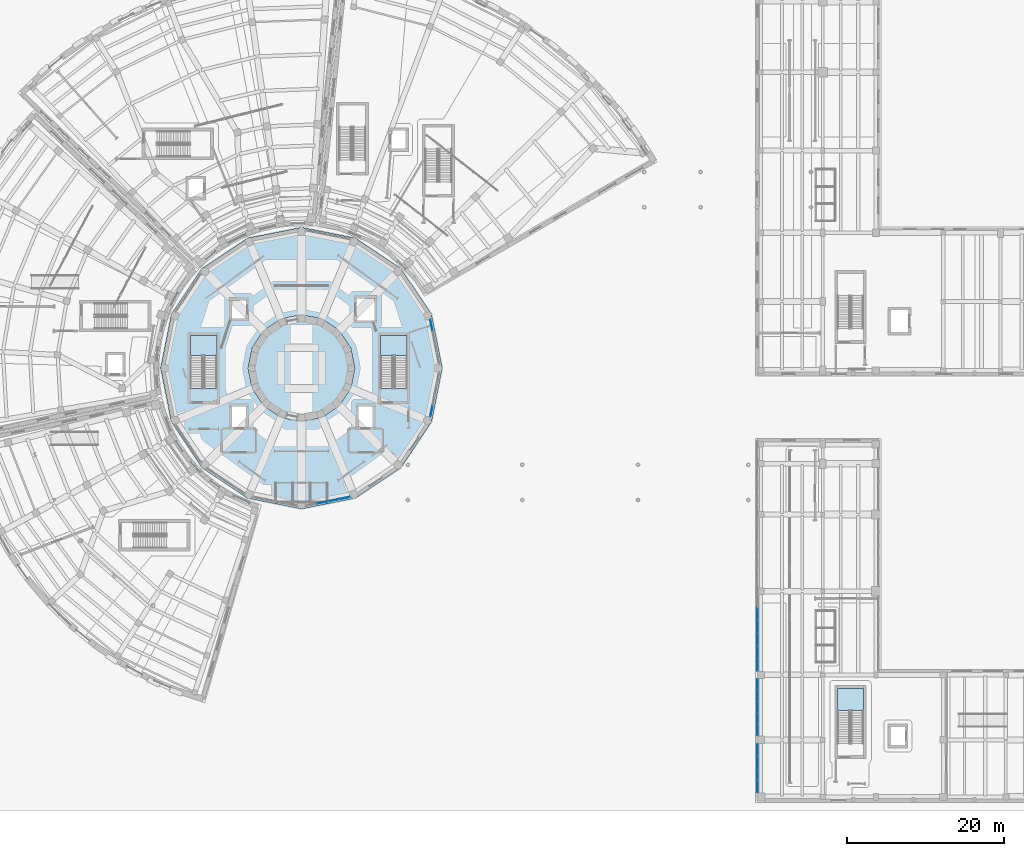
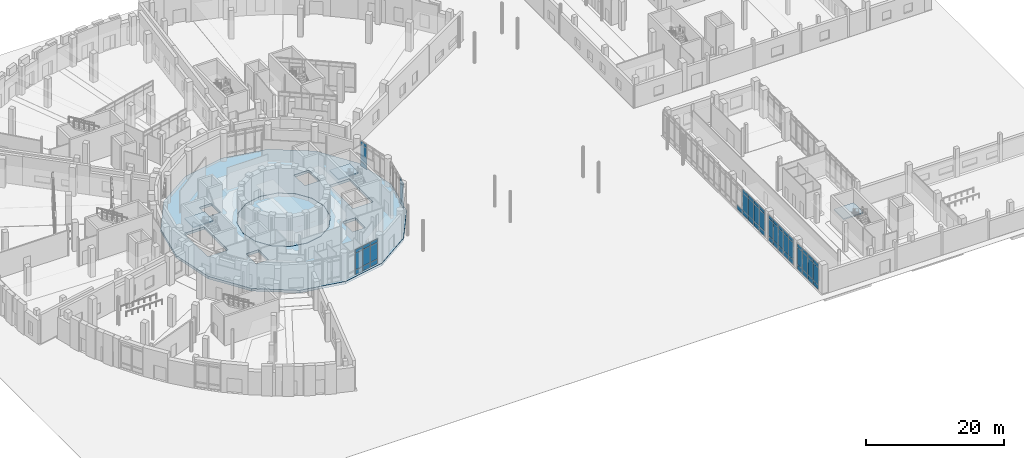
# One storey, part 34 of 74: 55 plates, 5 slabs, 9 elements without a shape of their own.
"""IFC4 building model written with IfcOpenShell, lengths in metres."""

from ifc_helpers import new_model, si_unit, direction, frame, origin, origin_2d, place, context, subcontext, project, spatial, polyline, rectangle, outline, extrude, material, layer, layer_set, type_object, element, aggregate, save


model = new_model("IFC4")

# Units and contexts
model_context = context("Model", 3, precision=1e-05, world=origin(), true_north=direction((0.0, 1.0)))
body_context = subcontext(model_context, "Body", "Model", "MODEL_VIEW")
ifc_project = project(units=[si_unit("LENGTHUNIT", "METRE"), si_unit("AREAUNIT", "SQUARE_METRE"), si_unit("VOLUMEUNIT", "CUBIC_METRE"), si_unit("PLANEANGLEUNIT", "RADIAN"), si_unit("MASSUNIT", "GRAM", prefix="KILO")], contexts=[model_context])

# Site, building, storey
site_placement = place(None, origin())
site = spatial("IfcSite", under=ifc_project, at=site_placement, CompositionType="ELEMENT")
building_placement = place(site_placement, origin())
building = spatial("IfcBuilding", under=site, at=building_placement, Name="Soyqirgoq Riverine Aquarium", CompositionType="ELEMENT")
storey_placement = place(building_placement, origin())
storey = spatial("IfcBuildingStorey", under=building, at=storey_placement, Name="L01", CompositionType="ELEMENT", Elevation=0.0)

# Curtain wall, plates
ifc_material_1 = material(Name="Anodised aluminium thermally broken triple low-E glazing", Category="aluminium")
curtain_wall_type_1 = type_object("IfcCurtainWallType", Name="CW_DrumGallery_Unitised", PredefinedType="NOTDEFINED", material=ifc_material_1)
curtain_wall_1_placement = place(storey_placement, origin())
curtain_wall_1 = element("IfcCurtainWall", 1, at=curtain_wall_1_placement, inside=storey, type_object=curtain_wall_type_1, Name="V1 L01 Curtain Wall 001", PredefinedType="NOTDEFINED")
ifc_material_2 = material(Name="Triple insulated laminated low-E glass", Category="glass")
ifc_layer_1 = layer(ifc_material_2, 0.0458984375)
ifc_layer_set_1 = layer_set([ifc_layer_1], Name="Triple insulated laminated low-E glass")
plate_type_1 = type_object("IfcPlateType", Name="CWGlazedPanel_46", PredefinedType="CURTAIN_PANEL", material=ifc_layer_set_1)
plate_1_placement = place(storey_placement, frame((72.603271484375, 62.513671875, 0.074951171875), z_axis=(0.0, 0.0, 1.0), x_axis=(-0.195074782196, 0.980788371338, 0.0)))
plate_1 = element("IfcPlate", 2, at=plate_1_placement, type_object=plate_type_1, Name="CW-01 panel 4.1", PredefinedType="CURTAIN_PANEL", context=body_context, shape_type="SweptSolid", body=[
    extrude(rectangle(XDim=1.339111328125, YDim=0.0458984375, at=origin_2d()), origin(), (0.0, 0.0, 1.0), 0.78759765625),
])
plate_2_placement = place(storey_placement, frame((72.603271484375, 62.513671875, 0.9375), z_axis=(0.0, 0.0, 1.0), x_axis=(-0.195074782196, 0.980788371338, 0.0)))
plate_2 = element("IfcPlate", 3, at=plate_2_placement, type_object=plate_type_1, Name="CW-01 panel 4.2", PredefinedType="CURTAIN_PANEL", context=body_context, shape_type="SweptSolid", body=[
    extrude(rectangle(XDim=1.339111328125, YDim=0.0458984375, at=origin_2d()), origin(), (0.0, 0.0, 1.0), 2.875),
])
plate_3_placement = place(storey_placement, frame((72.603271484375, 62.513671875, 3.887451171875), z_axis=(0.0, 0.0, 1.0), x_axis=(-0.195074782196, 0.980788371338, 0.0)))
plate_3 = element("IfcPlate", 4, at=plate_3_placement, type_object=plate_type_1, Name="CW-01 panel 4.3", PredefinedType="CURTAIN_PANEL", context=body_context, shape_type="SweptSolid", body=[
    extrude(rectangle(XDim=1.339111328125, YDim=0.0458984375, at=origin_2d()), origin(), (0.0, 0.0, 1.0), 0.58740234375),
])
aggregate(curtain_wall_1, [plate_1, plate_2, plate_3])

curtain_wall_2_placement = place(storey_placement, origin())
curtain_wall_2 = element("IfcCurtainWall", 5, at=curtain_wall_2_placement, inside=storey, type_object=curtain_wall_type_1, Name="V1 L01 Curtain Wall 055", PredefinedType="NOTDEFINED")
plate_4_placement = place(storey_placement, frame((58.671142578125, 39.831298828125, 0.074951171875), z_axis=(0.0, 0.0, 1.0), x_axis=(0.980788371338, 0.195074782196, 0.0)))
plate_4 = element("IfcPlate", 6, at=plate_4_placement, type_object=plate_type_1, Name="CW-01 panel 2.1", PredefinedType="CURTAIN_PANEL", context=body_context, shape_type="SweptSolid", body=[
    extrude(rectangle(XDim=1.379150390625, YDim=0.0458984375, at=origin_2d()), origin(), (0.0, 0.0, 1.0), 0.78759765625),
])
plate_5_placement = place(storey_placement, frame((58.671142578125, 39.831298828125, 0.9375), z_axis=(0.0, 0.0, 1.0), x_axis=(0.980788371338, 0.195074782196, 0.0)))
plate_5 = element("IfcPlate", 7, at=plate_5_placement, type_object=plate_type_1, Name="CW-01 panel 2.2", PredefinedType="CURTAIN_PANEL", context=body_context, shape_type="SweptSolid", body=[
    extrude(rectangle(XDim=1.379150390625, YDim=0.0458984375, at=origin_2d()), origin(), (0.0, 0.0, 1.0), 2.875),
])
plate_6_placement = place(storey_placement, frame((58.671142578125, 39.831298828125, 3.887451171875), z_axis=(0.0, 0.0, 1.0), x_axis=(0.980788371338, 0.195074782196, 0.0)))
plate_6 = element("IfcPlate", 8, at=plate_6_placement, type_object=plate_type_1, Name="CW-01 panel 2.3", PredefinedType="CURTAIN_PANEL", context=body_context, shape_type="SweptSolid", body=[
    extrude(rectangle(XDim=1.379150390625, YDim=0.0458984375, at=origin_2d()), origin(), (0.0, 0.0, 1.0), 0.58740234375),
])
plate_7_placement = place(storey_placement, frame((60.102294921875, 40.115966796875, 0.074951171875), z_axis=(0.0, 0.0, 1.0), x_axis=(0.980788371338, 0.195074782196, 0.0)))
plate_7 = element("IfcPlate", 9, at=plate_7_placement, type_object=plate_type_1, Name="CW-01 panel 3.1", PredefinedType="CURTAIN_PANEL", context=body_context, shape_type="SweptSolid", body=[
    extrude(rectangle(XDim=1.379150390625, YDim=0.0458984375, at=origin_2d()), origin(), (0.0, 0.0, 1.0), 0.78759765625),
])
plate_8_placement = place(storey_placement, frame((60.102294921875, 40.115966796875, 0.9375), z_axis=(0.0, 0.0, 1.0), x_axis=(0.980788371338, 0.195074782196, 0.0)))
plate_8 = element("IfcPlate", 10, at=plate_8_placement, type_object=plate_type_1, Name="CW-01 panel 3.2", PredefinedType="CURTAIN_PANEL", context=body_context, shape_type="SweptSolid", body=[
    extrude(rectangle(XDim=1.379150390625, YDim=0.0458984375, at=origin_2d()), origin(), (0.0, 0.0, 1.0), 2.875),
])
plate_9_placement = place(storey_placement, frame((60.102294921875, 40.115966796875, 3.887451171875), z_axis=(0.0, 0.0, 1.0), x_axis=(0.980788371338, 0.195074782196, 0.0)))
plate_9 = element("IfcPlate", 11, at=plate_9_placement, type_object=plate_type_1, Name="CW-01 panel 3.3", PredefinedType="CURTAIN_PANEL", context=body_context, shape_type="SweptSolid", body=[
    extrude(rectangle(XDim=1.379150390625, YDim=0.0458984375, at=origin_2d()), origin(), (0.0, 0.0, 1.0), 0.58740234375),
])
plate_10_placement = place(storey_placement, frame((61.513671875, 40.396728515625, 0.074951171875), z_axis=(0.0, 0.0, 1.0), x_axis=(0.980788371338, 0.195074782196, 0.0)))
plate_10 = element("IfcPlate", 12, at=plate_10_placement, type_object=plate_type_1, Name="CW-01 panel 4.1", PredefinedType="CURTAIN_PANEL", context=body_context, shape_type="SweptSolid", body=[
    extrude(rectangle(XDim=1.339111328125, YDim=0.0458984375, at=origin_2d()), origin(), (0.0, 0.0, 1.0), 0.78759765625),
])
plate_11_placement = place(storey_placement, frame((61.513671875, 40.396728515625, 0.9375), z_axis=(0.0, 0.0, 1.0), x_axis=(0.980788371338, 0.195074782196, 0.0)))
plate_11 = element("IfcPlate", 13, at=plate_11_placement, type_object=plate_type_1, Name="CW-01 panel 4.2", PredefinedType="CURTAIN_PANEL", context=body_context, shape_type="SweptSolid", body=[
    extrude(rectangle(XDim=1.339111328125, YDim=0.0458984375, at=origin_2d()), origin(), (0.0, 0.0, 1.0), 2.875),
])
plate_12_placement = place(storey_placement, frame((61.513671875, 40.396728515625, 3.887451171875), z_axis=(0.0, 0.0, 1.0), x_axis=(0.980788371338, 0.195074782196, 0.0)))
plate_12 = element("IfcPlate", 14, at=plate_12_placement, type_object=plate_type_1, Name="CW-01 panel 4.3", PredefinedType="CURTAIN_PANEL", context=body_context, shape_type="SweptSolid", body=[
    extrude(rectangle(XDim=1.339111328125, YDim=0.0458984375, at=origin_2d()), origin(), (0.0, 0.0, 1.0), 0.58740234375),
])
aggregate(curtain_wall_2, [plate_4, plate_5, plate_6, plate_7, plate_8, plate_9, plate_10, plate_11, plate_12])

ifc_material_3 = material(Name="Structural silicone glazed entrance curtain wall", Category="aluminium")
curtain_wall_type_2 = type_object("IfcCurtainWallType", Name="CW_Portal_Entrance", PredefinedType="NOTDEFINED", material=ifc_material_3)
curtain_wall_3_placement = place(storey_placement, origin())
curtain_wall_3 = element("IfcCurtainWall", 15, at=curtain_wall_3_placement, inside=storey, type_object=curtain_wall_type_2, Name="V6 L01 Curtain Wall 104", PredefinedType="NOTDEFINED")
plate_13_placement = place(storey_placement, frame((114.25, 3.525634765625, 0.074951171875), z_axis=(0.0, 0.0, 1.0), x_axis=(0.0, 1.0, 0.0)))
plate_13 = element("IfcPlate", 16, at=plate_13_placement, type_object=plate_type_1, Name="CW-04 panel 1.1", PredefinedType="CURTAIN_PANEL", context=body_context, shape_type="SweptSolid", body=[
    extrude(rectangle(XDim=1.451171875, YDim=0.0458984375, at=origin_2d()), origin(), (0.0, 0.0, 1.0), 0.78759765625),
])
plate_14_placement = place(storey_placement, frame((114.25, 3.525634765625, 0.9375), z_axis=(0.0, 0.0, 1.0), x_axis=(0.0, 1.0, 0.0)))
plate_14 = element("IfcPlate", 17, at=plate_14_placement, type_object=plate_type_1, Name="CW-04 panel 1.2", PredefinedType="CURTAIN_PANEL", context=body_context, shape_type="SweptSolid", body=[
    extrude(rectangle(XDim=1.451171875, YDim=0.0458984375, at=origin_2d()), origin(), (0.0, 0.0, 1.0), 3.02490234375),
])
plate_15_placement = place(storey_placement, frame((114.25, 3.525634765625, 4.03759765625), z_axis=(0.0, 0.0, 1.0), x_axis=(0.0, 1.0, 0.0)))
plate_15 = element("IfcPlate", 18, at=plate_15_placement, type_object=plate_type_1, Name="CW-04 panel 1.3", PredefinedType="CURTAIN_PANEL", context=body_context, shape_type="SweptSolid", body=[
    extrude(rectangle(XDim=1.451171875, YDim=0.0458984375, at=origin_2d()), origin(), (0.0, 0.0, 1.0), 0.58740234375),
])
plate_16_placement = place(storey_placement, frame((114.25, 5.076904296875, 0.074951171875), z_axis=(0.0, 0.0, 1.0), x_axis=(0.0, 1.0, 0.0)))
plate_16 = element("IfcPlate", 19, at=plate_16_placement, type_object=plate_type_1, Name="CW-04 panel 2.1", PredefinedType="CURTAIN_PANEL", context=body_context, shape_type="SweptSolid", body=[
    extrude(rectangle(XDim=1.4912109375, YDim=0.0458984375, at=origin_2d()), origin(), (0.0, 0.0, 1.0), 0.78759765625),
])
plate_17_placement = place(storey_placement, frame((114.25, 5.076904296875, 0.9375), z_axis=(0.0, 0.0, 1.0), x_axis=(0.0, 1.0, 0.0)))
plate_17 = element("IfcPlate", 20, at=plate_17_placement, type_object=plate_type_1, Name="CW-04 panel 2.2", PredefinedType="CURTAIN_PANEL", context=body_context, shape_type="SweptSolid", body=[
    extrude(rectangle(XDim=1.4912109375, YDim=0.0458984375, at=origin_2d()), origin(), (0.0, 0.0, 1.0), 3.02490234375),
])
plate_18_placement = place(storey_placement, frame((114.25, 5.076904296875, 4.03759765625), z_axis=(0.0, 0.0, 1.0), x_axis=(0.0, 1.0, 0.0)))
plate_18 = element("IfcPlate", 21, at=plate_18_placement, type_object=plate_type_1, Name="CW-04 panel 2.3", PredefinedType="CURTAIN_PANEL", context=body_context, shape_type="SweptSolid", body=[
    extrude(rectangle(XDim=1.4912109375, YDim=0.0458984375, at=origin_2d()), origin(), (0.0, 0.0, 1.0), 0.58740234375),
])
plate_19_placement = place(storey_placement, frame((114.25, 6.648193359375, 0.074951171875), z_axis=(0.0, 0.0, 1.0), x_axis=(0.0, 1.0, 0.0)))
plate_19 = element("IfcPlate", 22, at=plate_19_placement, type_object=plate_type_1, Name="CW-04 panel 3.1", PredefinedType="CURTAIN_PANEL", context=body_context, shape_type="SweptSolid", body=[
    extrude(rectangle(XDim=1.4912109375, YDim=0.0458984375, at=origin_2d()), origin(), (0.0, 0.0, 1.0), 0.78759765625),
])
plate_20_placement = place(storey_placement, frame((114.25, 6.648193359375, 0.9375), z_axis=(0.0, 0.0, 1.0), x_axis=(0.0, 1.0, 0.0)))
plate_20 = element("IfcPlate", 23, at=plate_20_placement, type_object=plate_type_1, Name="CW-04 panel 3.2", PredefinedType="CURTAIN_PANEL", context=body_context, shape_type="SweptSolid", body=[
    extrude(rectangle(XDim=1.4912109375, YDim=0.0458984375, at=origin_2d()), origin(), (0.0, 0.0, 1.0), 3.02490234375),
])
plate_21_placement = place(storey_placement, frame((114.25, 6.648193359375, 4.03759765625), z_axis=(0.0, 0.0, 1.0), x_axis=(0.0, 1.0, 0.0)))
plate_21 = element("IfcPlate", 24, at=plate_21_placement, type_object=plate_type_1, Name="CW-04 panel 3.3", PredefinedType="CURTAIN_PANEL", context=body_context, shape_type="SweptSolid", body=[
    extrude(rectangle(XDim=1.4912109375, YDim=0.0458984375, at=origin_2d()), origin(), (0.0, 0.0, 1.0), 0.58740234375),
])
plate_22_placement = place(storey_placement, frame((114.25, 8.199462890625, 0.074951171875), z_axis=(0.0, 0.0, 1.0), x_axis=(0.0, 1.0, 0.0)))
plate_22 = element("IfcPlate", 25, at=plate_22_placement, type_object=plate_type_1, Name="CW-04 panel 4.1", PredefinedType="CURTAIN_PANEL", context=body_context, shape_type="SweptSolid", body=[
    extrude(rectangle(XDim=1.451171875, YDim=0.0458984375, at=origin_2d()), origin(), (0.0, 0.0, 1.0), 0.78759765625),
])
plate_23_placement = place(storey_placement, frame((114.25, 8.199462890625, 0.9375), z_axis=(0.0, 0.0, 1.0), x_axis=(0.0, 1.0, 0.0)))
plate_23 = element("IfcPlate", 26, at=plate_23_placement, type_object=plate_type_1, Name="CW-04 panel 4.2", PredefinedType="CURTAIN_PANEL", context=body_context, shape_type="SweptSolid", body=[
    extrude(rectangle(XDim=1.451171875, YDim=0.0458984375, at=origin_2d()), origin(), (0.0, 0.0, 1.0), 3.02490234375),
])
plate_24_placement = place(storey_placement, frame((114.25, 8.199462890625, 4.03759765625), z_axis=(0.0, 0.0, 1.0), x_axis=(0.0, 1.0, 0.0)))
plate_24 = element("IfcPlate", 27, at=plate_24_placement, type_object=plate_type_1, Name="CW-04 panel 4.3", PredefinedType="CURTAIN_PANEL", context=body_context, shape_type="SweptSolid", body=[
    extrude(rectangle(XDim=1.451171875, YDim=0.0458984375, at=origin_2d()), origin(), (0.0, 0.0, 1.0), 0.58740234375),
])
aggregate(curtain_wall_3, [plate_13, plate_14, plate_15, plate_16, plate_17, plate_18, plate_19, plate_20, plate_21, plate_22, plate_23, plate_24])

curtain_wall_4_placement = place(storey_placement, origin())
curtain_wall_4 = element("IfcCurtainWall", 28, at=curtain_wall_4_placement, inside=storey, type_object=curtain_wall_type_2, Name="V6 L01 Curtain Wall 105", PredefinedType="NOTDEFINED")
plate_25_placement = place(storey_placement, frame((114.25, 10.74853515625, 0.074951171875), z_axis=(0.0, 0.0, 1.0), x_axis=(0.0, 1.0, 0.0)))
plate_25 = element("IfcPlate", 29, at=plate_25_placement, type_object=plate_type_1, Name="CW-04 panel 1.1", PredefinedType="CURTAIN_PANEL", context=body_context, shape_type="SweptSolid", body=[
    extrude(rectangle(XDim=1.346923828125, YDim=0.0458984375, at=origin_2d()), origin(), (0.0, 0.0, 1.0), 0.78759765625),
])
plate_26_placement = place(storey_placement, frame((114.25, 10.74853515625, 0.9375), z_axis=(0.0, 0.0, 1.0), x_axis=(0.0, 1.0, 0.0)))
plate_26 = element("IfcPlate", 30, at=plate_26_placement, type_object=plate_type_1, Name="CW-04 panel 1.2", PredefinedType="CURTAIN_PANEL", context=body_context, shape_type="SweptSolid", body=[
    extrude(rectangle(XDim=1.346923828125, YDim=0.0458984375, at=origin_2d()), origin(), (0.0, 0.0, 1.0), 3.02490234375),
])
plate_27_placement = place(storey_placement, frame((114.25, 10.74853515625, 4.03759765625), z_axis=(0.0, 0.0, 1.0), x_axis=(0.0, 1.0, 0.0)))
plate_27 = element("IfcPlate", 31, at=plate_27_placement, type_object=plate_type_1, Name="CW-04 panel 1.3", PredefinedType="CURTAIN_PANEL", context=body_context, shape_type="SweptSolid", body=[
    extrude(rectangle(XDim=1.346923828125, YDim=0.0458984375, at=origin_2d()), origin(), (0.0, 0.0, 1.0), 0.58740234375),
])
plate_28_placement = place(storey_placement, frame((114.25, 12.195556640625, 0.074951171875), z_axis=(0.0, 0.0, 1.0), x_axis=(0.0, 1.0, 0.0)))
plate_28 = element("IfcPlate", 32, at=plate_28_placement, type_object=plate_type_1, Name="CW-04 panel 2.1", PredefinedType="CURTAIN_PANEL", context=body_context, shape_type="SweptSolid", body=[
    extrude(rectangle(XDim=1.386962890625, YDim=0.0458984375, at=origin_2d()), origin(), (0.0, 0.0, 1.0), 0.78759765625),
])
plate_29_placement = place(storey_placement, frame((114.25, 12.195556640625, 0.9375), z_axis=(0.0, 0.0, 1.0), x_axis=(0.0, 1.0, 0.0)))
plate_29 = element("IfcPlate", 33, at=plate_29_placement, type_object=plate_type_1, Name="CW-04 panel 2.2", PredefinedType="CURTAIN_PANEL", context=body_context, shape_type="SweptSolid", body=[
    extrude(rectangle(XDim=1.386962890625, YDim=0.0458984375, at=origin_2d()), origin(), (0.0, 0.0, 1.0), 3.02490234375),
])
plate_30_placement = place(storey_placement, frame((114.25, 12.195556640625, 4.03759765625), z_axis=(0.0, 0.0, 1.0), x_axis=(0.0, 1.0, 0.0)))
plate_30 = element("IfcPlate", 34, at=plate_30_placement, type_object=plate_type_1, Name="CW-04 panel 2.3", PredefinedType="CURTAIN_PANEL", context=body_context, shape_type="SweptSolid", body=[
    extrude(rectangle(XDim=1.386962890625, YDim=0.0458984375, at=origin_2d()), origin(), (0.0, 0.0, 1.0), 0.58740234375),
])
plate_31_placement = place(storey_placement, frame((114.25, 13.66259765625, 0.074951171875), z_axis=(0.0, 0.0, 1.0), x_axis=(0.0, 1.0, 0.0)))
plate_31 = element("IfcPlate", 35, at=plate_31_placement, type_object=plate_type_1, Name="CW-04 panel 3.1", PredefinedType="CURTAIN_PANEL", context=body_context, shape_type="SweptSolid", body=[
    extrude(rectangle(XDim=1.386962890625, YDim=0.0458984375, at=origin_2d()), origin(), (0.0, 0.0, 1.0), 0.78759765625),
])
plate_32_placement = place(storey_placement, frame((114.25, 13.66259765625, 0.9375), z_axis=(0.0, 0.0, 1.0), x_axis=(0.0, 1.0, 0.0)))
plate_32 = element("IfcPlate", 36, at=plate_32_placement, type_object=plate_type_1, Name="CW-04 panel 3.2", PredefinedType="CURTAIN_PANEL", context=body_context, shape_type="SweptSolid", body=[
    extrude(rectangle(XDim=1.386962890625, YDim=0.0458984375, at=origin_2d()), origin(), (0.0, 0.0, 1.0), 3.02490234375),
])
plate_33_placement = place(storey_placement, frame((114.25, 13.66259765625, 4.03759765625), z_axis=(0.0, 0.0, 1.0), x_axis=(0.0, 1.0, 0.0)))
plate_33 = element("IfcPlate", 37, at=plate_33_placement, type_object=plate_type_1, Name="CW-04 panel 3.3", PredefinedType="CURTAIN_PANEL", context=body_context, shape_type="SweptSolid", body=[
    extrude(rectangle(XDim=1.386962890625, YDim=0.0458984375, at=origin_2d()), origin(), (0.0, 0.0, 1.0), 0.58740234375),
])
plate_34_placement = place(storey_placement, frame((114.25, 15.12939453125, 0.074951171875), z_axis=(0.0, 0.0, 1.0), x_axis=(0.0, 1.0, 0.0)))
plate_34 = element("IfcPlate", 38, at=plate_34_placement, type_object=plate_type_1, Name="CW-04 panel 4.1", PredefinedType="CURTAIN_PANEL", context=body_context, shape_type="SweptSolid", body=[
    extrude(rectangle(XDim=1.386962890625, YDim=0.0458984375, at=origin_2d()), origin(), (0.0, 0.0, 1.0), 0.78759765625),
])
plate_35_placement = place(storey_placement, frame((114.25, 15.12939453125, 0.9375), z_axis=(0.0, 0.0, 1.0), x_axis=(0.0, 1.0, 0.0)))
plate_35 = element("IfcPlate", 39, at=plate_35_placement, type_object=plate_type_1, Name="CW-04 panel 4.2", PredefinedType="CURTAIN_PANEL", context=body_context, shape_type="SweptSolid", body=[
    extrude(rectangle(XDim=1.386962890625, YDim=0.0458984375, at=origin_2d()), origin(), (0.0, 0.0, 1.0), 3.02490234375),
])
plate_36_placement = place(storey_placement, frame((114.25, 15.12939453125, 4.03759765625), z_axis=(0.0, 0.0, 1.0), x_axis=(0.0, 1.0, 0.0)))
plate_36 = element("IfcPlate", 40, at=plate_36_placement, type_object=plate_type_1, Name="CW-04 panel 4.3", PredefinedType="CURTAIN_PANEL", context=body_context, shape_type="SweptSolid", body=[
    extrude(rectangle(XDim=1.386962890625, YDim=0.0458984375, at=origin_2d()), origin(), (0.0, 0.0, 1.0), 0.58740234375),
])
plate_37_placement = place(storey_placement, frame((114.25, 16.576416015625, 0.074951171875), z_axis=(0.0, 0.0, 1.0), x_axis=(0.0, 1.0, 0.0)))
plate_37 = element("IfcPlate", 41, at=plate_37_placement, type_object=plate_type_1, Name="CW-04 panel 5.1", PredefinedType="CURTAIN_PANEL", context=body_context, shape_type="SweptSolid", body=[
    extrude(rectangle(XDim=1.346923828125, YDim=0.0458984375, at=origin_2d()), origin(), (0.0, 0.0, 1.0), 0.78759765625),
])
plate_38_placement = place(storey_placement, frame((114.25, 16.576416015625, 0.9375), z_axis=(0.0, 0.0, 1.0), x_axis=(0.0, 1.0, 0.0)))
plate_38 = element("IfcPlate", 42, at=plate_38_placement, type_object=plate_type_1, Name="CW-04 panel 5.2", PredefinedType="CURTAIN_PANEL", context=body_context, shape_type="SweptSolid", body=[
    extrude(rectangle(XDim=1.346923828125, YDim=0.0458984375, at=origin_2d()), origin(), (0.0, 0.0, 1.0), 3.02490234375),
])
plate_39_placement = place(storey_placement, frame((114.25, 16.576416015625, 4.03759765625), z_axis=(0.0, 0.0, 1.0), x_axis=(0.0, 1.0, 0.0)))
plate_39 = element("IfcPlate", 43, at=plate_39_placement, type_object=plate_type_1, Name="CW-04 panel 5.3", PredefinedType="CURTAIN_PANEL", context=body_context, shape_type="SweptSolid", body=[
    extrude(rectangle(XDim=1.346923828125, YDim=0.0458984375, at=origin_2d()), origin(), (0.0, 0.0, 1.0), 0.58740234375),
])
aggregate(curtain_wall_4, [plate_25, plate_26, plate_27, plate_28, plate_29, plate_30, plate_31, plate_32, plate_33, plate_34, plate_35, plate_36, plate_37, plate_38, plate_39])

curtain_wall_5_placement = place(storey_placement, origin())
curtain_wall_5 = element("IfcCurtainWall", 44, at=curtain_wall_5_placement, inside=storey, type_object=curtain_wall_type_2, Name="V6 L01 Curtain Wall 106", PredefinedType="NOTDEFINED")
plate_40_placement = place(storey_placement, frame((114.25, 19.107666015625, 0.074951171875), z_axis=(0.0, 0.0, 1.0), x_axis=(0.0, 1.0, 0.0)))
plate_40 = element("IfcPlate", 45, at=plate_40_placement, type_object=plate_type_1, Name="CW-04 panel 1.1", PredefinedType="CURTAIN_PANEL", context=body_context, shape_type="SweptSolid", body=[
    extrude(rectangle(XDim=1.515625, YDim=0.0458984375, at=origin_2d()), origin(), (0.0, 0.0, 1.0), 0.78759765625),
])
plate_41_placement = place(storey_placement, frame((114.25, 19.107666015625, 0.9375), z_axis=(0.0, 0.0, 1.0), x_axis=(0.0, 1.0, 0.0)))
plate_41 = element("IfcPlate", 46, at=plate_41_placement, type_object=plate_type_1, Name="CW-04 panel 1.2", PredefinedType="CURTAIN_PANEL", context=body_context, shape_type="SweptSolid", body=[
    extrude(rectangle(XDim=1.515625, YDim=0.0458984375, at=origin_2d()), origin(), (0.0, 0.0, 1.0), 3.02490234375),
])
plate_42_placement = place(storey_placement, frame((114.25, 19.107666015625, 4.03759765625), z_axis=(0.0, 0.0, 1.0), x_axis=(0.0, 1.0, 0.0)))
plate_42 = element("IfcPlate", 47, at=plate_42_placement, type_object=plate_type_1, Name="CW-04 panel 1.3", PredefinedType="CURTAIN_PANEL", context=body_context, shape_type="SweptSolid", body=[
    extrude(rectangle(XDim=1.515625, YDim=0.0458984375, at=origin_2d()), origin(), (0.0, 0.0, 1.0), 0.58740234375),
])
plate_43_placement = place(storey_placement, frame((114.25, 20.723388671875, 0.074951171875), z_axis=(0.0, 0.0, 1.0), x_axis=(0.0, 1.0, 0.0)))
plate_43 = element("IfcPlate", 48, at=plate_43_placement, type_object=plate_type_1, Name="CW-04 panel 2.1", PredefinedType="CURTAIN_PANEL", context=body_context, shape_type="SweptSolid", body=[
    extrude(rectangle(XDim=1.5556640625, YDim=0.0458984375, at=origin_2d()), origin(), (0.0, 0.0, 1.0), 0.78759765625),
])
plate_44_placement = place(storey_placement, frame((114.25, 20.723388671875, 0.9375), z_axis=(0.0, 0.0, 1.0), x_axis=(0.0, 1.0, 0.0)))
plate_44 = element("IfcPlate", 49, at=plate_44_placement, type_object=plate_type_1, Name="CW-04 panel 2.2", PredefinedType="CURTAIN_PANEL", context=body_context, shape_type="SweptSolid", body=[
    extrude(rectangle(XDim=1.5556640625, YDim=0.0458984375, at=origin_2d()), origin(), (0.0, 0.0, 1.0), 3.02490234375),
])
plate_45_placement = place(storey_placement, frame((114.25, 20.723388671875, 4.03759765625), z_axis=(0.0, 0.0, 1.0), x_axis=(0.0, 1.0, 0.0)))
plate_45 = element("IfcPlate", 50, at=plate_45_placement, type_object=plate_type_1, Name="CW-04 panel 2.3", PredefinedType="CURTAIN_PANEL", context=body_context, shape_type="SweptSolid", body=[
    extrude(rectangle(XDim=1.5556640625, YDim=0.0458984375, at=origin_2d()), origin(), (0.0, 0.0, 1.0), 0.58740234375),
])
plate_46_placement = place(storey_placement, frame((114.25, 22.35888671875, 0.074951171875), z_axis=(0.0, 0.0, 1.0), x_axis=(0.0, 1.0, 0.0)))
plate_46 = element("IfcPlate", 51, at=plate_46_placement, type_object=plate_type_1, Name="CW-04 panel 3.1", PredefinedType="CURTAIN_PANEL", context=body_context, shape_type="SweptSolid", body=[
    extrude(rectangle(XDim=1.5556640625, YDim=0.0458984375, at=origin_2d()), origin(), (0.0, 0.0, 1.0), 0.78759765625),
])
plate_47_placement = place(storey_placement, frame((114.25, 22.35888671875, 0.9375), z_axis=(0.0, 0.0, 1.0), x_axis=(0.0, 1.0, 0.0)))
plate_47 = element("IfcPlate", 52, at=plate_47_placement, type_object=plate_type_1, Name="CW-04 panel 3.2", PredefinedType="CURTAIN_PANEL", context=body_context, shape_type="SweptSolid", body=[
    extrude(rectangle(XDim=1.5556640625, YDim=0.0458984375, at=origin_2d()), origin(), (0.0, 0.0, 1.0), 3.02490234375),
])
plate_48_placement = place(storey_placement, frame((114.25, 22.35888671875, 4.03759765625), z_axis=(0.0, 0.0, 1.0), x_axis=(0.0, 1.0, 0.0)))
plate_48 = element("IfcPlate", 53, at=plate_48_placement, type_object=plate_type_1, Name="CW-04 panel 3.3", PredefinedType="CURTAIN_PANEL", context=body_context, shape_type="SweptSolid", body=[
    extrude(rectangle(XDim=1.5556640625, YDim=0.0458984375, at=origin_2d()), origin(), (0.0, 0.0, 1.0), 0.58740234375),
])
plate_49_placement = place(storey_placement, frame((114.25, 23.994384765625, 0.074951171875), z_axis=(0.0, 0.0, 1.0), x_axis=(0.0, 1.0, 0.0)))
plate_49 = element("IfcPlate", 54, at=plate_49_placement, type_object=plate_type_1, Name="CW-04 panel 4.1", PredefinedType="CURTAIN_PANEL", context=body_context, shape_type="SweptSolid", body=[
    extrude(rectangle(XDim=1.5556640625, YDim=0.0458984375, at=origin_2d()), origin(), (0.0, 0.0, 1.0), 0.78759765625),
])
plate_50_placement = place(storey_placement, frame((114.25, 23.994384765625, 0.9375), z_axis=(0.0, 0.0, 1.0), x_axis=(0.0, 1.0, 0.0)))
plate_50 = element("IfcPlate", 55, at=plate_50_placement, type_object=plate_type_1, Name="CW-04 panel 4.2", PredefinedType="CURTAIN_PANEL", context=body_context, shape_type="SweptSolid", body=[
    extrude(rectangle(XDim=1.5556640625, YDim=0.0458984375, at=origin_2d()), origin(), (0.0, 0.0, 1.0), 3.02490234375),
])
plate_51_placement = place(storey_placement, frame((114.25, 23.994384765625, 4.03759765625), z_axis=(0.0, 0.0, 1.0), x_axis=(0.0, 1.0, 0.0)))
plate_51 = element("IfcPlate", 56, at=plate_51_placement, type_object=plate_type_1, Name="CW-04 panel 4.3", PredefinedType="CURTAIN_PANEL", context=body_context, shape_type="SweptSolid", body=[
    extrude(rectangle(XDim=1.5556640625, YDim=0.0458984375, at=origin_2d()), origin(), (0.0, 0.0, 1.0), 0.58740234375),
])
plate_52_placement = place(storey_placement, frame((114.25, 25.6298828125, 0.074951171875), z_axis=(0.0, 0.0, 1.0), x_axis=(0.0, 1.0, 0.0)))
plate_52 = element("IfcPlate", 57, at=plate_52_placement, type_object=plate_type_1, Name="CW-04 panel 5.1", PredefinedType="CURTAIN_PANEL", context=body_context, shape_type="SweptSolid", body=[
    extrude(rectangle(XDim=1.5556640625, YDim=0.0458984375, at=origin_2d()), origin(), (0.0, 0.0, 1.0), 0.78759765625),
])
aggregate(curtain_wall_5, [plate_40, plate_41, plate_42, plate_43, plate_44, plate_45, plate_46, plate_47, plate_48, plate_49, plate_50, plate_51, plate_52])

curtain_wall_6_placement = place(storey_placement, origin())
curtain_wall_6 = element("IfcCurtainWall", 58, at=curtain_wall_6_placement, inside=storey, type_object=curtain_wall_type_1, Name="V1 L01 Curtain Wall 072", PredefinedType="NOTDEFINED")
ifc_material_4 = material(Name="Insulated shadow-box aluminium spandrel panel", Category="aluminium")
ifc_layer_2 = layer(ifc_material_4, 0.06005859375)
ifc_layer_set_2 = layer_set([ifc_layer_2], Name="Insulated shadow-box aluminium spandrel panel")
plate_type_2 = type_object("IfcPlateType", Name="CWSpandrelPanel_60", PredefinedType="CURTAIN_PANEL", material=ifc_layer_set_2)
plate_53_placement = place(storey_placement, frame((72.603271484375, 51.486328125, 0.074951171875), z_axis=(0.0, 0.0, 1.0), x_axis=(0.195074782196, 0.980788371338, 0.0)))
plate_53 = element("IfcPlate", 59, at=plate_53_placement, type_object=plate_type_2, Name="CW-01 panel 1.1", PredefinedType="CURTAIN_PANEL", context=body_context, shape_type="SweptSolid", body=[
    extrude(rectangle(XDim=1.339111328125, YDim=0.06005859375, at=origin_2d()), origin(), (0.0, 0.0, 1.0), 0.78759765625),
])
plate_54_placement = place(storey_placement, frame((72.603271484375, 51.486328125, 0.9375), z_axis=(0.0, 0.0, 1.0), x_axis=(0.195074782196, 0.980788371338, 0.0)))
plate_54 = element("IfcPlate", 60, at=plate_54_placement, type_object=plate_type_2, Name="CW-01 panel 1.2", PredefinedType="CURTAIN_PANEL", context=body_context, shape_type="SweptSolid", body=[
    extrude(rectangle(XDim=1.339111328125, YDim=0.06005859375, at=origin_2d()), origin(), (0.0, 0.0, 1.0), 2.875),
])
plate_55_placement = place(storey_placement, frame((72.603271484375, 51.486328125, 3.887451171875), z_axis=(0.0, 0.0, 1.0), x_axis=(0.195074782196, 0.980788371338, 0.0)))
plate_55 = element("IfcPlate", 61, at=plate_55_placement, type_object=plate_type_2, Name="CW-01 panel 1.3", PredefinedType="CURTAIN_PANEL", context=body_context, shape_type="SweptSolid", body=[
    extrude(rectangle(XDim=1.339111328125, YDim=0.06005859375, at=origin_2d()), origin(), (0.0, 0.0, 1.0), 0.58740234375),
])
aggregate(curtain_wall_6, [plate_53, plate_54, plate_55])

# Stair, slab
ifc_material_5 = material(Name="Concrete C35/45", Category="concrete")
stair_type = type_object("IfcStairType", Name="CoreDoglegStair_RC", PredefinedType="HALF_TURN_STAIR", material=ifc_material_5)
stair_1_placement = place(storey_placement, origin())
stair_1 = element("IfcStair", 62, at=stair_1_placement, inside=storey, type_object=stair_type, Name="L01 Enclosed Exit Stair ST-1", PredefinedType="HALF_TURN_STAIR")
ifc_material_6 = material(Name="Concrete C35/45", Category="concrete")
ifc_layer_3 = layer(ifc_material_6, 0.199951171875)
ifc_layer_set_3 = layer_set([ifc_layer_3], Name="Concrete C35/45")
slab_type_1 = type_object("IfcSlabType", Name="CoreStairLanding_RC", PredefinedType="LANDING", material=ifc_layer_set_3)
slab_1_placement = place(storey_placement, frame((0.0, 0.0, 2.5)))
slab_1 = element("IfcSlab", 63, at=slab_1_placement, type_object=slab_type_1, Name="ST-1 landing 1", PredefinedType="LANDING", context=body_context, shape_type="SweptSolid", body=[
    extrude(outline(polyline([(69.5, 58.60009765625), (69.5, 61.199951171875), (66.10009765625, 61.199951171875), (66.10009765625, 58.60009765625), (69.5, 58.60009765625)])), origin(), (0.0, 0.0, 1.0), 0.199951171875),
])
aggregate(stair_1, [slab_1])

stair_2_placement = place(storey_placement, origin())
stair_2 = element("IfcStair", 64, at=stair_2_placement, inside=storey, type_object=stair_type, Name="L01 Enclosed Exit Stair ST-9", PredefinedType="HALF_TURN_STAIR")
slab_2_placement = place(storey_placement, frame((0.0, 0.0, 2.5)))
slab_2 = element("IfcSlab", 65, at=slab_2_placement, type_object=slab_type_1, Name="ST-9 landing 1", PredefinedType="LANDING", context=body_context, shape_type="SweptSolid", body=[
    extrude(outline(polyline([(45.199951171875, 58.60009765625), (45.199951171875, 61.199951171875), (41.800048828125, 61.199951171875), (41.800048828125, 58.60009765625), (45.199951171875, 58.60009765625)])), origin(), (0.0, 0.0, 1.0), 0.199951171875),
])
aggregate(stair_2, [slab_2])

stair_3_placement = place(storey_placement, origin())
stair_3 = element("IfcStair", 66, at=stair_3_placement, inside=storey, type_object=stair_type, Name="L01 Enclosed Exit Stair ST-7", PredefinedType="HALF_TURN_STAIR")
slab_3_placement = place(storey_placement, frame((0.0, 0.0, 2.5)))
slab_3 = element("IfcSlab", 67, at=slab_3_placement, type_object=slab_type_1, Name="ST-7 landing 1", PredefinedType="LANDING", context=body_context, shape_type="SweptSolid", body=[
    extrude(outline(polyline([(127.800048828125, 13.25), (127.800048828125, 16.10009765625), (124.5, 16.10009765625), (124.5, 13.25), (127.800048828125, 13.25)])), origin(), (0.0, 0.0, 1.0), 0.199951171875),
])
aggregate(stair_3, [slab_3])

# Slabs
ifc_material_7 = material(Name="Waterproof concrete C45/55", Category="concrete")
ifc_layer_4 = layer(ifc_material_7, 0.449951171875)
ifc_layer_set_4 = layer_set([ifc_layer_4], Name="Waterproof concrete C45/55")
slab_type_2 = type_object("IfcSlabType", Name="FloorSlab_450_C45", PredefinedType="FLOOR", material=ifc_layer_set_4)
slab_4_placement = place(storey_placement, frame((0.0, 0.0, -0.449951171875)))
element("IfcSlab", 68, at=slab_4_placement, inside=storey, type_object=slab_type_2, Name="V1 L01 Concourse Ring Slab", PredefinedType="FLOOR", context=body_context, shape_type="SweptSolid", body=[
    extrude(outline(polyline([(74.0, 57.0), (72.6298828125, 63.88818359375), (68.727783203125, 69.727783203125), (62.88818359375, 73.6298828125), (56.0, 75.0), (49.11181640625, 73.6298828125), (43.272216796875, 69.727783203125), (39.3701171875, 63.88818359375), (38.0, 57.0), (39.3701171875, 50.11181640625), (43.272216796875, 44.272216796875), (49.11181640625, 40.3701171875), (56.0, 39.0), (62.88818359375, 40.3701171875), (68.727783203125, 44.272216796875), (72.6298828125, 50.11181640625), (74.0, 57.0)]), holes=[polyline([(62.81494140625, 57.0), (62.296142578125, 59.60791015625), (60.81884765625, 61.81884765625), (58.60791015625, 63.296142578125), (56.0, 63.81494140625), (53.39208984375, 63.296142578125), (51.18115234375, 61.81884765625), (49.703857421875, 59.60791015625), (49.18505859375, 57.0), (49.703857421875, 54.39208984375), (51.18115234375, 52.18115234375), (53.39208984375, 50.703857421875), (56.0, 50.18505859375), (58.60791015625, 50.703857421875), (60.81884765625, 52.18115234375), (62.296142578125, 54.39208984375), (62.81494140625, 57.0)]), polyline([(69.5, 54.425048828125), (69.5, 61.199951171875), (66.10009765625, 61.199951171875), (66.10009765625, 54.425048828125), (69.5, 54.425048828125)]), polyline([(63.14990234375, 49.35009765625), (65.25, 49.35009765625), (65.25, 52.25), (63.14990234375, 52.25), (63.14990234375, 49.35009765625)]), polyline([(62.949951171875, 62.949951171875), (65.449951171875, 62.949951171875), (65.449951171875, 66.050048828125), (62.949951171875, 66.050048828125), (62.949951171875, 62.949951171875)]), polyline([(45.199951171875, 54.425048828125), (45.199951171875, 61.199951171875), (41.800048828125, 61.199951171875), (41.800048828125, 54.425048828125), (45.199951171875, 54.425048828125)]), polyline([(46.949951171875, 49.35009765625), (49.050048828125, 49.35009765625), (49.050048828125, 52.25), (46.949951171875, 52.25), (46.949951171875, 49.35009765625)]), polyline([(46.949951171875, 63.199951171875), (49.050048828125, 63.199951171875), (49.050048828125, 65.800048828125), (46.949951171875, 65.800048828125), (46.949951171875, 63.199951171875)])]), origin(), (0.0, 0.0, 1.0), 0.449951171875),
])
ifc_material_8 = material(Name="Waterproof concrete C45/55", Category="concrete")
ifc_layer_5 = layer(ifc_material_8, 1.5)
ifc_layer_set_5 = layer_set([ifc_layer_5], Name="Waterproof concrete C45/55")
slab_type_3 = type_object("IfcSlabType", Name="TransferSlab_1500_C45", PredefinedType="FLOOR", material=ifc_layer_set_5)
slab_5_placement = place(storey_placement, frame((0.0, 0.0, -1.5)))
element("IfcSlab", 69, at=slab_5_placement, inside=storey, type_object=slab_type_3, Name="V1 L01 Waterproof Ocean Tank Transfer Slab", PredefinedType="FLOOR", context=body_context, shape_type="SweptSolid", body=[
    extrude(outline(polyline([(62.800048828125, 57.0), (62.282470703125, 59.602294921875), (60.808349609375, 61.808349609375), (58.602294921875, 63.282470703125), (56.0, 63.800048828125), (53.397705078125, 63.282470703125), (51.191650390625, 61.808349609375), (49.717529296875, 59.602294921875), (49.199951171875, 57.0), (49.717529296875, 54.397705078125), (51.191650390625, 52.191650390625), (53.397705078125, 50.717529296875), (56.0, 50.199951171875), (58.602294921875, 50.717529296875), (60.808349609375, 52.191650390625), (62.282470703125, 54.397705078125), (62.800048828125, 57.0)])), origin(), (0.0, 0.0, 1.0), 1.5),
])

save(model, "model.ifc")
